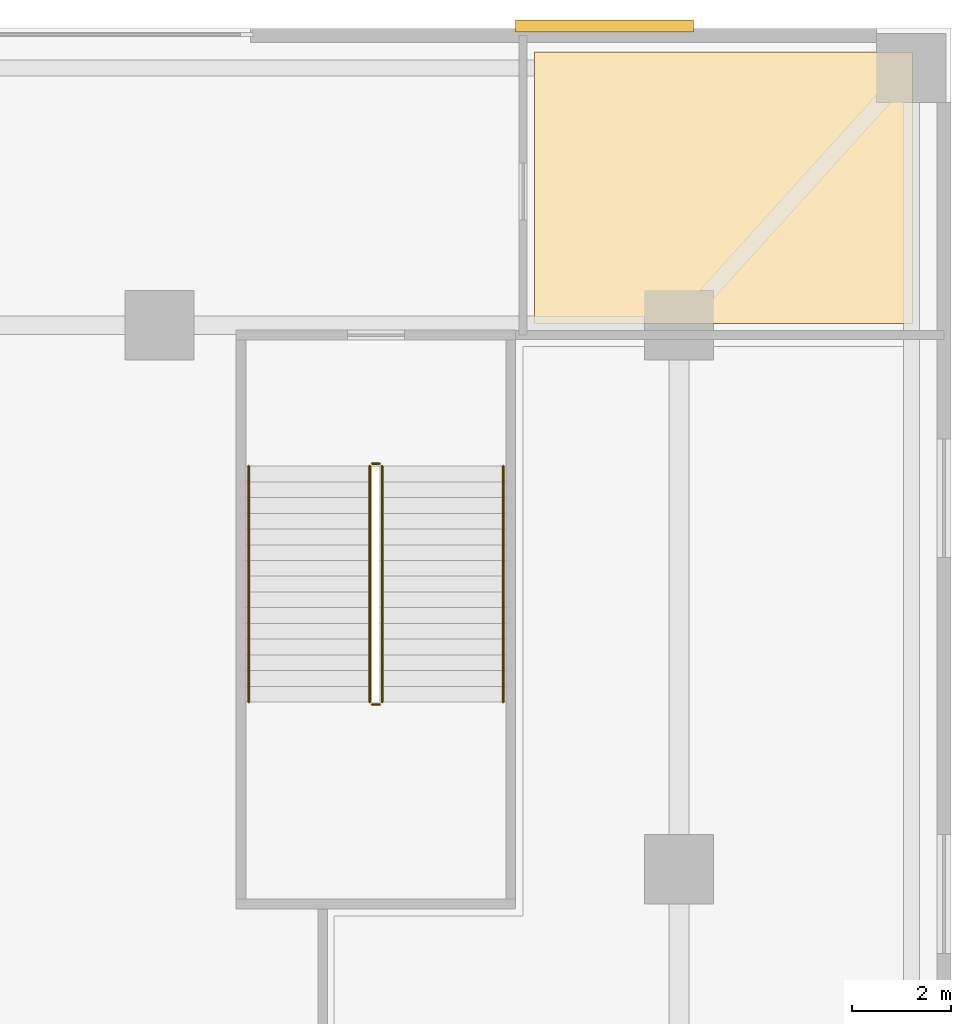
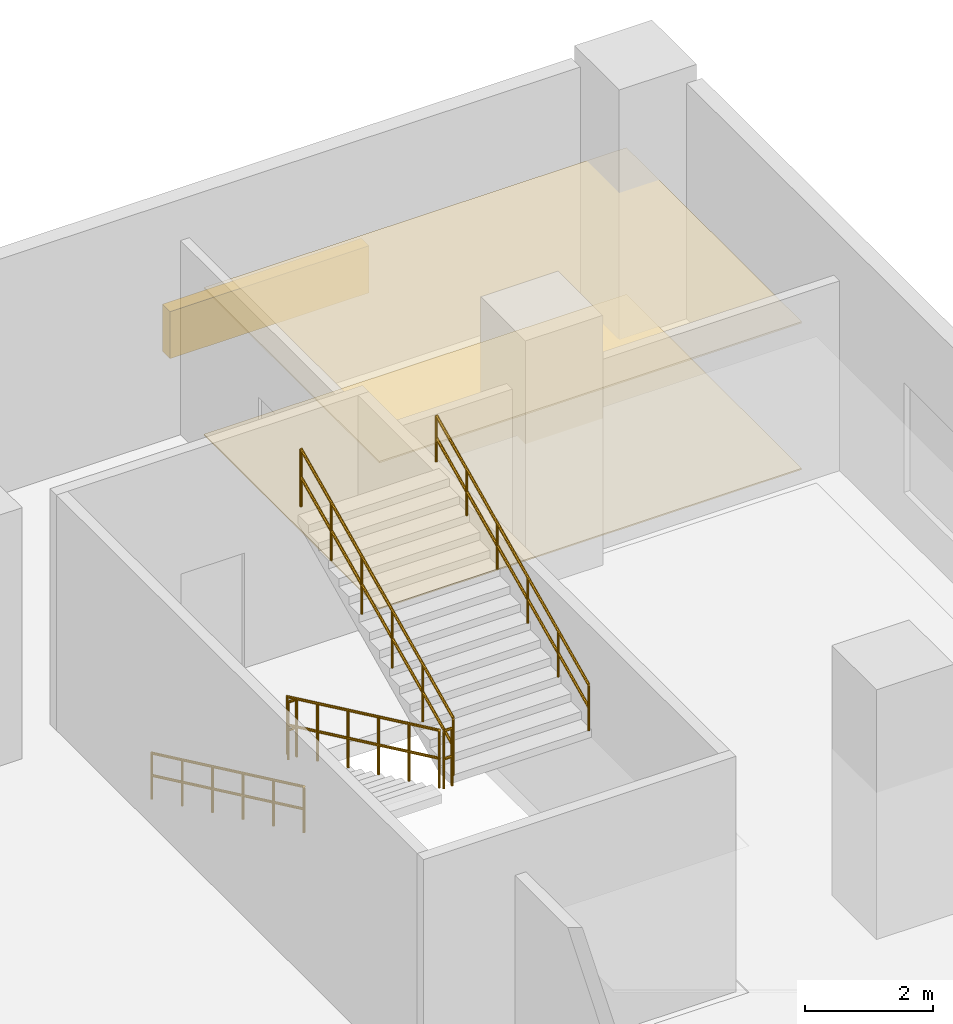
# One storey, part 14 of 15: 6 railings, 2 coverings, 1 shading device.
"""IFC4 building model written with IfcOpenShell, lengths in metres."""

from ifc_helpers import new_model, si_unit, direction, frame, origin, origin_2d, place, context, subcontext, project, spatial, polyline, rectangle, circle, outline, extrude, material, layer, layer_set, type_object, element, save


model = new_model("IFC4")

# Units and contexts
model_context = context("Model", 3, precision=1e-05, world=origin(), true_north=direction((0.0, 1.0)))
body_context = subcontext(model_context, "Body", "Model", "MODEL_VIEW")
ifc_project = project(units=[si_unit("LENGTHUNIT", "METRE"), si_unit("AREAUNIT", "SQUARE_METRE"), si_unit("VOLUMEUNIT", "CUBIC_METRE"), si_unit("PLANEANGLEUNIT", "RADIAN"), si_unit("MASSUNIT", "GRAM", prefix="KILO")], contexts=[model_context])

# Site, building, storey
site_placement = place(None, origin())
site = spatial("IfcSite", under=ifc_project, at=site_placement, CompositionType="ELEMENT")
building_placement = place(site_placement, origin())
building = spatial("IfcBuilding", under=site, at=building_placement, Name="Solmavex Isthmus Hotel", CompositionType="ELEMENT")
storey_placement = place(building_placement, frame((0.0, 0.0, 11.39990234375)))
storey = spatial("IfcBuildingStorey", under=building, at=storey_placement, Name="L03", CompositionType="ELEMENT", Elevation=11.39990234375)

# Coverings
ifc_material_1 = material(Name="Gypsum plasterboard lining", Category="gypsum")
ifc_layer_1 = layer(ifc_material_1, 0.030029296875)
ifc_layer_set_1 = layer_set([ifc_layer_1], Name="Gypsum plasterboard lining")
covering_type_1 = type_object("IfcCoveringType", Name="COV-CEIL-GYP", PredefinedType="CEILING", material=ifc_layer_set_1)
covering_1_placement = place(storey_placement, frame((0.0, 0.0, 2.800048828125)))
element("IfcCovering", 1, at=covering_1_placement, inside=storey, type_object=covering_type_1, Name="Suspended Acoustic Ceiling L03-MT03", PredefinedType="CEILING", context=body_context, shape_type="SweptSolid", body=[
    extrude(outline(polyline([(33.219970703125, 17.530029296875), (33.219970703125, 23.02001953125), (25.580078125, 23.02001953125), (25.580078125, 17.530029296875), (33.219970703125, 17.530029296875)])), origin(), (0.0, 0.0, 1.0), 0.030029296875),
])
ifc_material_2 = material(Name="Travertine natural stone", Category="masonry")
ifc_layer_2 = layer(ifc_material_2, 0.02490234375)
ifc_layer_set_2 = layer_set([ifc_layer_2], Name="Travertine natural stone")
covering_type_2 = type_object("IfcCoveringType", Name="COV-FLOR-STN", PredefinedType="FLOORING", material=ifc_layer_set_2)
covering_2_placement = place(storey_placement, origin())
element("IfcCovering", 2, at=covering_2_placement, inside=storey, type_object=covering_type_2, Name="Stone and Timber Floor Finish L03-MT03", PredefinedType="FLOORING", context=body_context, shape_type="SweptSolid", body=[
    extrude(outline(polyline([(33.219970703125, 17.530029296875), (33.219970703125, 23.02001953125), (25.580078125, 23.02001953125), (25.580078125, 17.530029296875), (33.219970703125, 17.530029296875)])), origin(), (0.0, 0.0, 1.0), 0.025146484375),
])

# Railings
ifc_material_3 = material(Name="Stainless steel 316", Category="steel")
ifc_layer_3 = layer(ifc_material_3, 0.06005859375)
ifc_layer_set_3 = layer_set([ifc_layer_3], Name="Stainless steel 316")
railing_type_1 = type_object("IfcRailingType", Name="RAIL-STAIR-GD", PredefinedType="GUARDRAIL", material=ifc_layer_set_3)
railing_1_placement = place(storey_placement, frame((22.25, 14.64990234375, 0.150146484375)))
element("IfcRailing", 3, at=railing_1_placement, inside=storey, type_object=railing_type_1, Name="L03 ST-3 stair guard 1", PredefinedType="GUARDRAIL", context=body_context, shape_type="SweptSolid", body=[
    extrude(circle(Radius=0.02392578125, at=origin_2d()), frame((0.0, 0.0, 1.09619140625), z_axis=(0.0, -0.904432266519, 0.426617246813), x_axis=(1.0, 0.0, 0.0)), (0.0, 0.0, 1.0), 5.274169921875),
    extrude(circle(Radius=0.02392578125, at=origin_2d()), frame((0.0, 0.0, 0.56005859375), z_axis=(0.0, -0.904432266519, 0.426617246813), x_axis=(1.0, 0.0, 0.0)), (0.0, 0.0, 1.0), 5.274169921875),
    extrude(circle(Radius=0.02099609375, at=origin_2d()), origin(), (0.0, 0.0, 1.0), 1.072021484375),
    extrude(circle(Radius=0.02099609375, at=origin_2d()), frame((0.0, -0.9541015625, 0.449951171875)), (0.0, 0.0, 1.0), 1.072021484375),
    extrude(circle(Radius=0.02099609375, at=origin_2d()), frame((0.0, -1.907958984375, 0.89990234375)), (0.0, 0.0, 1.0), 1.072021484375),
    extrude(circle(Radius=0.02099609375, at=origin_2d()), frame((0.0, -2.862060546875, 1.35009765625)), (0.0, 0.0, 1.0), 1.072021484375),
    extrude(circle(Radius=0.02099609375, at=origin_2d()), frame((0.0, -3.81591796875, 1.800048828125)), (0.0, 0.0, 1.0), 1.072021484375),
    extrude(circle(Radius=0.02099609375, at=origin_2d()), frame((0.0, -4.77001953125, 2.25)), (0.0, 0.0, 1.0), 1.072021484375),
])
railing_2_placement = place(storey_placement, frame((22.300048828125, 9.830078125, 2.400146484375)))
element("IfcRailing", 4, at=railing_2_placement, inside=storey, type_object=railing_type_1, Name="L03 ST-3 stair guard 2", PredefinedType="GUARDRAIL", context=body_context, shape_type="SweptSolid", body=[
    extrude(circle(Radius=0.02392578125, at=origin_2d()), frame((0.0, 0.0, 1.09619140625), z_axis=(1.0, 0.0, 0.0), x_axis=(0.0, 1.0, 0.0)), (0.0, 0.0, 1.0), 0.14990234375),
    extrude(circle(Radius=0.02392578125, at=origin_2d()), frame((0.0, 0.0, 0.56005859375), z_axis=(1.0, 0.0, 0.0), x_axis=(0.0, 1.0, 0.0)), (0.0, 0.0, 1.0), 0.14990234375),
    extrude(circle(Radius=0.02099609375, at=origin_2d()), origin(), (0.0, 0.0, 1.0), 1.072021484375),
    extrude(circle(Radius=0.02099609375, at=origin_2d()), frame((0.14990234375, 0.0, 0.0)), (0.0, 0.0, 1.0), 1.072021484375),
])
railing_3_placement = place(storey_placement, frame((22.5, 9.8798828125, 2.550048828125)))
element("IfcRailing", 5, at=railing_3_placement, inside=storey, type_object=railing_type_1, Name="L03 ST-3 stair guard 3", PredefinedType="GUARDRAIL", context=body_context, shape_type="SweptSolid", body=[
    extrude(circle(Radius=0.02392578125, at=origin_2d()), frame((0.0, 0.0, 1.09619140625), z_axis=(0.0, 0.904432266519, 0.426617246813), x_axis=(-1.0, 0.0, 0.0)), (0.0, 0.0, 1.0), 5.274169921875),
    extrude(circle(Radius=0.02392578125, at=origin_2d()), frame((0.0, 0.0, 0.56005859375), z_axis=(0.0, 0.904432266519, 0.426617246813), x_axis=(-1.0, 0.0, 0.0)), (0.0, 0.0, 1.0), 5.274169921875),
    extrude(circle(Radius=0.02099609375, at=origin_2d()), origin(), (0.0, 0.0, 1.0), 1.072021484375),
    extrude(circle(Radius=0.02099609375, at=origin_2d()), frame((0.0, 0.9541015625, 0.449951171875)), (0.0, 0.0, 1.0), 1.072021484375),
    extrude(circle(Radius=0.02099609375, at=origin_2d()), frame((0.0, 1.907958984375, 0.89990234375)), (0.0, 0.0, 1.0), 1.072021484375),
    extrude(circle(Radius=0.02099609375, at=origin_2d()), frame((0.0, 2.862060546875, 1.35009765625)), (0.0, 0.0, 1.0), 1.072021484375),
    extrude(circle(Radius=0.02099609375, at=origin_2d()), frame((0.0, 3.81591796875, 1.800048828125)), (0.0, 0.0, 1.0), 1.072021484375),
    extrude(circle(Radius=0.02099609375, at=origin_2d()), frame((0.0, 4.77001953125, 2.25)), (0.0, 0.0, 1.0), 1.072021484375),
])
railing_4_placement = place(storey_placement, frame((22.300048828125, 14.699951171875, 0.0)))
element("IfcRailing", 6, at=railing_4_placement, inside=storey, type_object=railing_type_1, Name="L03 ST-3 stair guard 4", PredefinedType="GUARDRAIL", context=body_context, shape_type="SweptSolid", body=[
    extrude(circle(Radius=0.02392578125, at=origin_2d()), frame((0.0, 0.0, 1.09619140625), z_axis=(1.0, 0.0, 0.0), x_axis=(0.0, 1.0, 0.0)), (0.0, 0.0, 1.0), 0.14990234375),
    extrude(circle(Radius=0.02392578125, at=origin_2d()), frame((0.0, 0.0, 0.56005859375), z_axis=(1.0, 0.0, 0.0), x_axis=(0.0, 1.0, 0.0)), (0.0, 0.0, 1.0), 0.14990234375),
    extrude(circle(Radius=0.02099609375, at=origin_2d()), origin(), (0.0, 0.0, 1.0), 1.072021484375),
    extrude(circle(Radius=0.02099609375, at=origin_2d()), frame((0.14990234375, 0.0, 0.0)), (0.0, 0.0, 1.0), 1.072021484375),
])
ifc_layer_4 = layer(ifc_material_3, 0.050048828125)
ifc_layer_set_4 = layer_set([ifc_layer_4], Name="Stainless steel 316")
railing_type_2 = type_object("IfcRailingType", Name="RAIL-STAIR-HR", PredefinedType="HANDRAIL", material=ifc_layer_set_4)
railing_5_placement = place(storey_placement, frame((19.800048828125, 14.64990234375, 0.150146484375)))
element("IfcRailing", 7, at=railing_5_placement, inside=storey, type_object=railing_type_2, Name="L03 ST-3 stair handrail 1", PredefinedType="HANDRAIL", context=body_context, shape_type="SweptSolid", body=[
    extrude(circle(Radius=0.02392578125, at=origin_2d()), frame((0.0, 0.0, 0.8759765625), z_axis=(0.0, -0.904432266519, 0.426617246813), x_axis=(1.0, 0.0, 0.0)), (0.0, 0.0, 1.0), 5.274169921875),
    extrude(circle(Radius=0.02392578125, at=origin_2d()), frame((0.0, 0.0, 0.449951171875), z_axis=(0.0, -0.904432266519, 0.426617246813), x_axis=(1.0, 0.0, 0.0)), (0.0, 0.0, 1.0), 5.274169921875),
    extrude(circle(Radius=0.02099609375, at=origin_2d()), origin(), (0.0, 0.0, 1.0), 0.851806640625),
    extrude(circle(Radius=0.02099609375, at=origin_2d()), frame((0.0, -0.9541015625, 0.449951171875)), (0.0, 0.0, 1.0), 0.851806640625),
    extrude(circle(Radius=0.02099609375, at=origin_2d()), frame((0.0, -1.907958984375, 0.89990234375)), (0.0, 0.0, 1.0), 0.851806640625),
    extrude(circle(Radius=0.02099609375, at=origin_2d()), frame((0.0, -2.862060546875, 1.35009765625)), (0.0, 0.0, 1.0), 0.851806640625),
    extrude(circle(Radius=0.02099609375, at=origin_2d()), frame((0.0, -3.81591796875, 1.800048828125)), (0.0, 0.0, 1.0), 0.851806640625),
    extrude(circle(Radius=0.02099609375, at=origin_2d()), frame((0.0, -4.77001953125, 2.25)), (0.0, 0.0, 1.0), 0.851806640625),
])
railing_6_placement = place(storey_placement, frame((24.949951171875, 9.8798828125, 2.550048828125)))
element("IfcRailing", 8, at=railing_6_placement, inside=storey, type_object=railing_type_2, Name="L03 ST-3 stair handrail 2", PredefinedType="HANDRAIL", context=body_context, shape_type="SweptSolid", body=[
    extrude(circle(Radius=0.02392578125, at=origin_2d()), frame((0.0, 0.0, 0.8759765625), z_axis=(0.0, 0.904432266519, 0.426617246813), x_axis=(-1.0, 0.0, 0.0)), (0.0, 0.0, 1.0), 5.274169921875),
    extrude(circle(Radius=0.02392578125, at=origin_2d()), frame((0.0, 0.0, 0.449951171875), z_axis=(0.0, 0.904432266519, 0.426617246813), x_axis=(-1.0, 0.0, 0.0)), (0.0, 0.0, 1.0), 5.274169921875),
    extrude(circle(Radius=0.02099609375, at=origin_2d()), origin(), (0.0, 0.0, 1.0), 0.851806640625),
    extrude(circle(Radius=0.02099609375, at=origin_2d()), frame((0.0, 0.9541015625, 0.449951171875)), (0.0, 0.0, 1.0), 0.851806640625),
    extrude(circle(Radius=0.02099609375, at=origin_2d()), frame((0.0, 1.907958984375, 0.89990234375)), (0.0, 0.0, 1.0), 0.851806640625),
    extrude(circle(Radius=0.02099609375, at=origin_2d()), frame((0.0, 2.862060546875, 1.35009765625)), (0.0, 0.0, 1.0), 0.851806640625),
    extrude(circle(Radius=0.02099609375, at=origin_2d()), frame((0.0, 3.81591796875, 1.800048828125)), (0.0, 0.0, 1.0), 0.851806640625),
    extrude(circle(Radius=0.02099609375, at=origin_2d()), frame((0.0, 4.77001953125, 2.25)), (0.0, 0.0, 1.0), 0.851806640625),
])

# Shading device
ifc_material_4 = material(Name="Aluminium alloy 6063-T6", Category="aluminium")
shading_device_type = type_object("IfcShadingDeviceType", Name="SHD-LOUVRE-BOX", PredefinedType="JALOUSIE", material=ifc_material_4)
shading_device_placement = place(storey_placement, frame((27.0, 23.550048828125, 1.35009765625), z_axis=(0.0, 0.0, 1.0), x_axis=(1.0, 0.0, 0.0)))
element("IfcShadingDevice", 9, at=shading_device_placement, inside=storey, type_object=shading_device_type, Name="Bronze Anodised Arrival Louvre Screen L03-2", PredefinedType="JALOUSIE", context=body_context, shape_type="SweptSolid", body=[
    extrude(rectangle(XDim=3.60009765625, YDim=0.239990234375, at=origin_2d()), origin(), (0.0, 0.0, 1.0), 0.89990234375),
])

save(model, "model.ifc")
